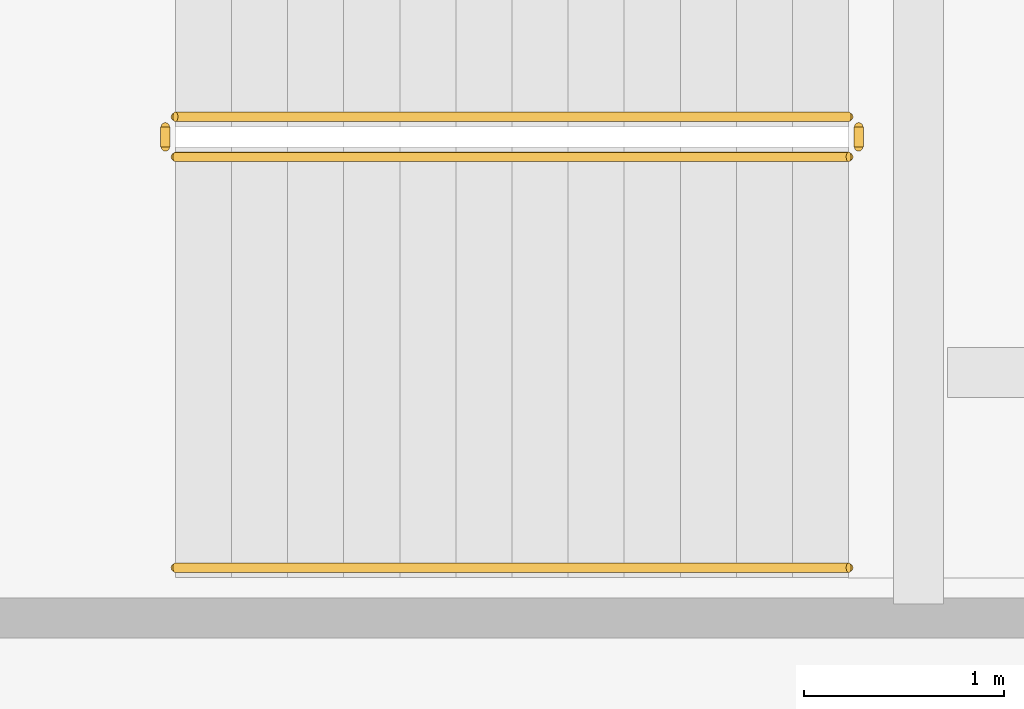
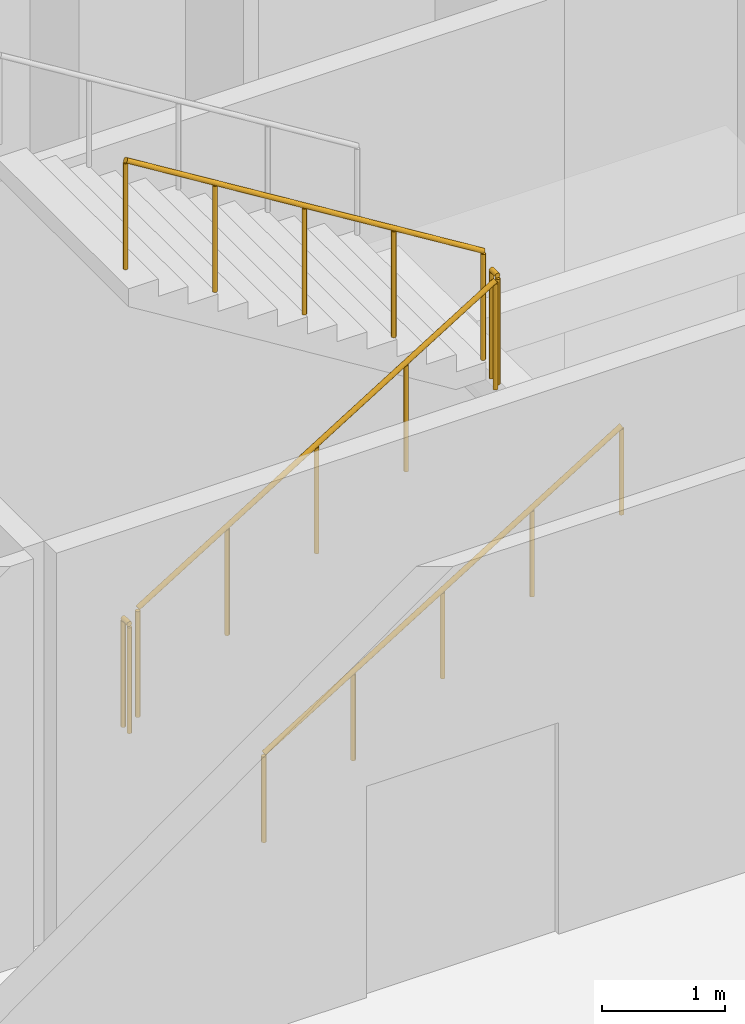
# One storey, part 19 of 20: 5 railings.
"""IFC4 building model written with IfcOpenShell, lengths in metres."""

from ifc_helpers import new_model, si_unit, direction, frame, origin, origin_2d, place, context, subcontext, project, spatial, circle, extrude, material, type_object, element, save


model = new_model("IFC4")

# Units and contexts
model_context = context("Model", 3, precision=1e-05, world=origin(), true_north=direction((0.0, 1.0)))
body_context = subcontext(model_context, "Body", "Model", "MODEL_VIEW")
ifc_project = project(units=[si_unit("LENGTHUNIT", "METRE"), si_unit("AREAUNIT", "SQUARE_METRE"), si_unit("VOLUMEUNIT", "CUBIC_METRE"), si_unit("PLANEANGLEUNIT", "RADIAN"), si_unit("MASSUNIT", "GRAM", prefix="KILO")], contexts=[model_context])

# Site, building, storey
site_placement = place(None, origin())
site = spatial("IfcSite", under=ifc_project, at=site_placement, CompositionType="ELEMENT")
building_placement = place(site_placement, origin())
building = spatial("IfcBuilding", under=site, at=building_placement, Name="Verdalira Terraces Hotel", CompositionType="ELEMENT")
storey_placement = place(building_placement, frame((0.0, 0.0, 23.5)))
storey = spatial("IfcBuildingStorey", under=building, at=storey_placement, Name="L04", CompositionType="ELEMENT", Elevation=23.5)

# Railings
ifc_material_1 = material(Name="Stainless steel", Category="steel")
railing_type_1 = type_object("IfcRailingType", Name="Stair guard 1100", PredefinedType="GUARDRAIL", material=ifc_material_1)
railing_1_placement = place(storey_placement, frame((-0.75, 38.699951, 0.173096)))
element("IfcRailing", 1, at=railing_1_placement, inside=storey, type_object=railing_type_1, Name="L04 PS1 stair guard 1", PredefinedType="GUARDRAIL", context=body_context, shape_type="SweptSolid", body=[
    extrude(circle(Radius=0.023926, at=origin_2d()), frame((0.0, 0.0, 1.076172), z_axis=(0.850623217, 0.0, 0.525775754), x_axis=(0.0, 1.0, 0.0)), (0.0, 0.0, 1.0), 3.950195),
    extrude(circle(Radius=0.020996, at=origin_2d()), origin(), (0.0, 0.0, 1.0), 1.052002),
    extrude(circle(Radius=0.020996, at=origin_2d()), frame((0.840088, 0.0, 0.519287)), (0.0, 0.0, 1.0), 1.052002),
    extrude(circle(Radius=0.020996, at=origin_2d()), frame((1.680176, 0.0, 1.038574)), (0.0, 0.0, 1.0), 1.052002),
    extrude(circle(Radius=0.020996, at=origin_2d()), frame((2.52002, 0.0, 1.557617)), (0.0, 0.0, 1.0), 1.052002),
    extrude(circle(Radius=0.020996, at=origin_2d()), frame((3.360107, 0.0, 2.076904)), (0.0, 0.0, 1.0), 1.052002),
])
railing_2_placement = place(storey_placement, frame((2.659912, 38.75, 2.25)))
element("IfcRailing", 2, at=railing_2_placement, inside=storey, type_object=railing_type_1, Name="L04 PS1 stair guard 2", PredefinedType="GUARDRAIL", context=body_context, shape_type="SweptSolid", body=[
    extrude(circle(Radius=0.023926, at=origin_2d()), frame((0.0, 0.0, 1.076172), z_axis=(0.0, 1.0, 0.0), x_axis=(-1.0, 0.0, 0.0)), (0.0, 0.0, 1.0), 0.100098),
    extrude(circle(Radius=0.020996, at=origin_2d()), origin(), (0.0, 0.0, 1.0), 1.052002),
    extrude(circle(Radius=0.020996, at=origin_2d()), frame((0.0, 0.100098, 0.0)), (0.0, 0.0, 1.0), 1.052002),
])
railing_3_placement = place(storey_placement, frame((2.610107, 38.899902, 2.423096)))
element("IfcRailing", 3, at=railing_3_placement, inside=storey, type_object=railing_type_1, Name="L04 PS1 stair guard 3", PredefinedType="GUARDRAIL", context=body_context, shape_type="SweptSolid", body=[
    extrude(circle(Radius=0.023926, at=origin_2d()), frame((0.0, 0.0, 1.076172), z_axis=(-0.850623217, 0.0, 0.525775754), x_axis=(0.0, -1.0, 0.0)), (0.0, 0.0, 1.0), 3.950195),
    extrude(circle(Radius=0.020996, at=origin_2d()), origin(), (0.0, 0.0, 1.0), 1.052002),
    extrude(circle(Radius=0.020996, at=origin_2d()), frame((-0.840088, 0.0, 0.519287)), (0.0, 0.0, 1.0), 1.052002),
    extrude(circle(Radius=0.020996, at=origin_2d()), frame((-1.680176, 0.0, 1.038574)), (0.0, 0.0, 1.0), 1.052002),
    extrude(circle(Radius=0.020996, at=origin_2d()), frame((-2.52002, 0.0, 1.557617)), (0.0, 0.0, 1.0), 1.052002),
    extrude(circle(Radius=0.020996, at=origin_2d()), frame((-3.360107, 0.0, 2.076904)), (0.0, 0.0, 1.0), 1.052002),
])
railing_4_placement = place(storey_placement, frame((-0.800049, 38.75, 0.0)))
element("IfcRailing", 4, at=railing_4_placement, inside=storey, type_object=railing_type_1, Name="L04 PS1 stair guard 4", PredefinedType="GUARDRAIL", context=body_context, shape_type="SweptSolid", body=[
    extrude(circle(Radius=0.023926, at=origin_2d()), frame((0.0, 0.0, 1.076172), z_axis=(0.0, 1.0, 0.0), x_axis=(-1.0, 0.0, 0.0)), (0.0, 0.0, 1.0), 0.100098),
    extrude(circle(Radius=0.020996, at=origin_2d()), origin(), (0.0, 0.0, 1.0), 1.052002),
    extrude(circle(Radius=0.020996, at=origin_2d()), frame((0.0, 0.100098, 0.0)), (0.0, 0.0, 1.0), 1.052002),
])
ifc_material_2 = material(Name="Stainless steel", Category="steel")
railing_type_2 = type_object("IfcRailingType", Name="Stair handrail 900", PredefinedType="HANDRAIL", material=ifc_material_2)
railing_5_placement = place(storey_placement, frame((-0.75, 36.649902, 0.173096)))
element("IfcRailing", 5, at=railing_5_placement, inside=storey, type_object=railing_type_2, Name="L04 PS1 stair handrail 1", PredefinedType="HANDRAIL", context=body_context, shape_type="SweptSolid", body=[
    extrude(circle(Radius=0.023926, at=origin_2d()), frame((0.0, 0.0, 0.875977), z_axis=(0.850623217, 0.0, 0.525775754), x_axis=(0.0, 1.0, 0.0)), (0.0, 0.0, 1.0), 3.950195),
    extrude(circle(Radius=0.020996, at=origin_2d()), origin(), (0.0, 0.0, 1.0), 0.851807),
    extrude(circle(Radius=0.020996, at=origin_2d()), frame((0.840088, 0.0, 0.519287)), (0.0, 0.0, 1.0), 0.851807),
    extrude(circle(Radius=0.020996, at=origin_2d()), frame((1.680176, 0.0, 1.038574)), (0.0, 0.0, 1.0), 0.851807),
    extrude(circle(Radius=0.020996, at=origin_2d()), frame((2.52002, 0.0, 1.557617)), (0.0, 0.0, 1.0), 0.851807),
    extrude(circle(Radius=0.020996, at=origin_2d()), frame((3.360107, 0.0, 2.076904)), (0.0, 0.0, 1.0), 0.851807),
])

save(model, "model.ifc")
